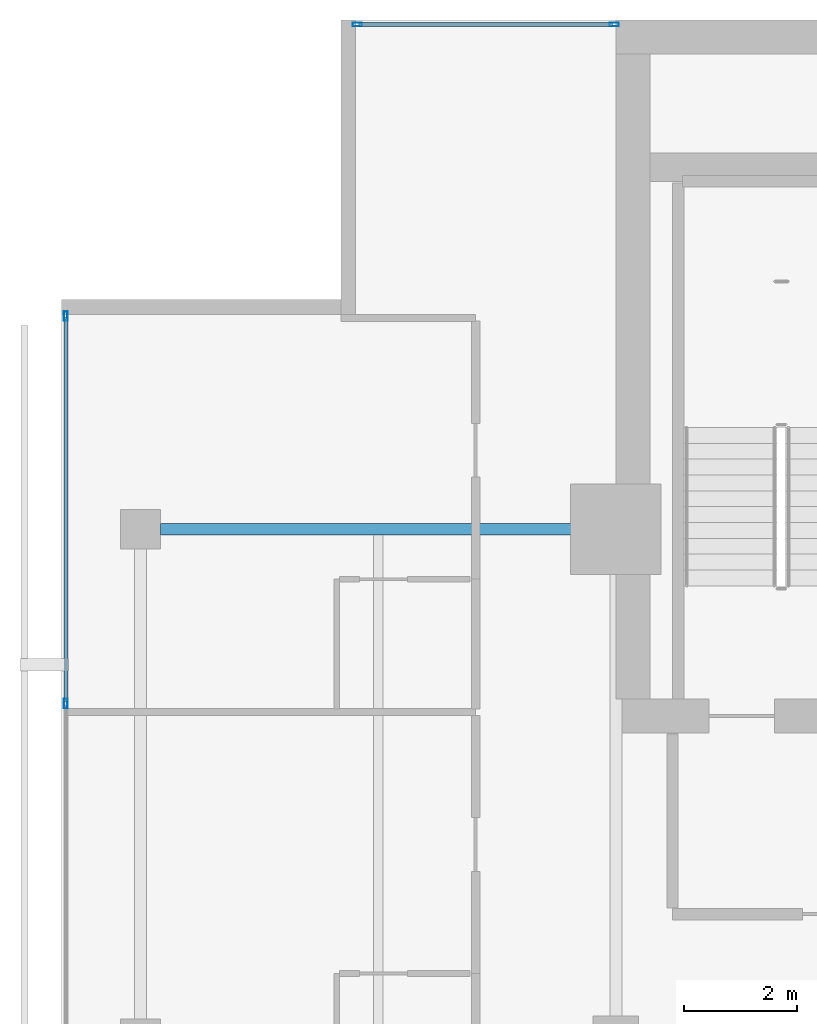
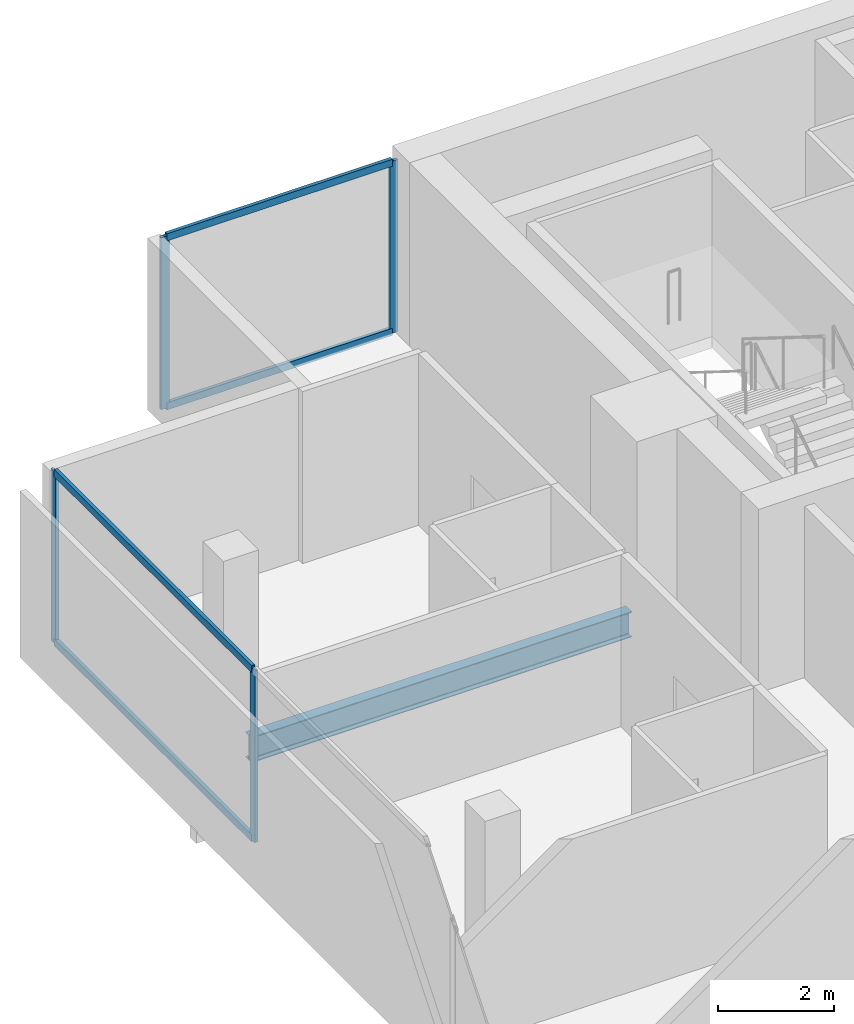
# One storey, part 16 of 26: 8 members, 1 beam, 2 elements without a shape of their own.
"""IFC4 building model written with IfcOpenShell, lengths in metres."""

from ifc_helpers import new_model, si_unit, direction, frame, origin, origin_2d, place, context, subcontext, project, spatial, hollow_rectangle, i_section, extrude, material, layer, layer_set, material_profile, profile_set, type_object, element, aggregate, save


model = new_model("IFC4")

# Units and contexts
model_context = context("Model", 3, precision=1e-05, world=origin(), true_north=direction((0.0, 1.0)))
body_context = subcontext(model_context, "Body", "Model", "MODEL_VIEW")
ifc_project = project(units=[si_unit("LENGTHUNIT", "METRE"), si_unit("AREAUNIT", "SQUARE_METRE"), si_unit("VOLUMEUNIT", "CUBIC_METRE"), si_unit("PLANEANGLEUNIT", "RADIAN"), si_unit("MASSUNIT", "GRAM", prefix="KILO")], contexts=[model_context])

# Site, building, storey
site_placement = place(None, origin())
site = spatial("IfcSite", under=ifc_project, at=site_placement, CompositionType="ELEMENT")
building_placement = place(site_placement, origin())
building = spatial("IfcBuilding", under=site, at=building_placement, Name="Maruvema Waterfront Hotel and Observation Tower", CompositionType="ELEMENT")
storey_placement = place(building_placement, frame((0.0, 0.0, 254.800048828125)))
storey = spatial("IfcBuildingStorey", under=building, at=storey_placement, Name="L62", CompositionType="ELEMENT", Elevation=254.800048828125)

# Curtain wall, members
ifc_material_1 = material(Name="Anodised bronze aluminium and solar-control low-E IGU", Category="aluminium")
ifc_layer = layer(ifc_material_1, 0.159912109375, Name="Zone 3 Champagne Inner Thermal Curtain Wall System CW-04")
ifc_layer_set = layer_set([ifc_layer], Name="Anodised bronze aluminium and solar-control low-E IGU")
curtain_wall_type = type_object("IfcCurtainWallType", Name="Zone 3 Champagne Inner Thermal Curtain Wall System CW-04", PredefinedType="USERDEFINED", material=ifc_layer_set)
curtain_wall_1_placement = place(storey_placement, origin())
curtain_wall_1 = element("IfcCurtainWall", 1, at=curtain_wall_1_placement, inside=storey, type_object=curtain_wall_type, Name="L62 Curtain Wall CW-L62-W", ObjectType="UNITISED CURTAIN WALL", PredefinedType="USERDEFINED")
ifc_material_2 = material(Name="Anodised architectural bronze aluminium", Category="aluminium")
ifc_material_profile_1 = material_profile(ifc_material_2, hollow_rectangle(XDim=0.070068359375, YDim=0.14990234375, WallThickness=0.00390625, at=origin_2d()), Name="ALU-T70x150")
ifc_profile_set_1 = profile_set([ifc_material_profile_1], Name="Anodised architectural bronze aluminium")
member_type_1 = type_object("IfcMemberType", Name="Curtain Wall Horizontal Transom ALU-T70x150", PredefinedType="USERDEFINED", material=ifc_profile_set_1)
member_1_placement = place(storey_placement, frame((15.47998046875, 48.739990234375, 0.030029296875), z_axis=(0.0, -1.0, 0.0), x_axis=(1.0, 0.0, 0.0)))
member_1 = element("IfcMember", 2, at=member_1_placement, type_object=member_type_1, Name="CW-04 transom 1.1", ObjectType="TRANSOM", PredefinedType="USERDEFINED", context=body_context, shape_type="SweptSolid", body=[
    extrude(hollow_rectangle(XDim=0.070068359375, YDim=0.14990234375, WallThickness=0.00390625, at=origin_2d()), origin(), (0.0, 0.0, 1.0), 6.7900390625),
])
member_2_placement = place(storey_placement, frame((15.47998046875, 48.739990234375, 3.579833984375), z_axis=(0.0, -1.0, 0.0), x_axis=(1.0, 0.0, 0.0)))
member_2 = element("IfcMember", 3, at=member_2_placement, type_object=member_type_1, Name="CW-04 transom 1.2", ObjectType="TRANSOM", PredefinedType="USERDEFINED", context=body_context, shape_type="SweptSolid", body=[
    extrude(hollow_rectangle(XDim=0.070068359375, YDim=0.14990234375, WallThickness=0.00390625, at=origin_2d()), origin(), (0.0, 0.0, 1.0), 6.7900390625),
])

curtain_wall_2_placement = place(storey_placement, origin())
curtain_wall_2 = element("IfcCurtainWall", 4, at=curtain_wall_2_placement, inside=storey, type_object=curtain_wall_type, Name="L62 Curtain Wall CW-L62-NW", ObjectType="UNITISED CURTAIN WALL", PredefinedType="USERDEFINED")
member_3_placement = place(storey_placement, frame((25.139892578125, 53.919921875, 0.030029296875), z_axis=(-1.0, 0.0, 0.0), x_axis=(0.0, -1.0, 0.0)))
member_3 = element("IfcMember", 5, at=member_3_placement, type_object=member_type_1, Name="CW-04 transom 1.1", ObjectType="TRANSOM", PredefinedType="USERDEFINED", context=body_context, shape_type="SweptSolid", body=[
    extrude(hollow_rectangle(XDim=0.070068359375, YDim=0.14990234375, WallThickness=0.00390625, at=origin_2d()), origin(), (0.0, 0.0, 1.0), 4.47998046875),
])
member_4_placement = place(storey_placement, frame((25.139892578125, 53.919921875, 3.579833984375), z_axis=(-1.0, 0.0, 0.0), x_axis=(0.0, -1.0, 0.0)))
member_4 = element("IfcMember", 6, at=member_4_placement, type_object=member_type_1, Name="CW-04 transom 1.2", ObjectType="TRANSOM", PredefinedType="USERDEFINED", context=body_context, shape_type="SweptSolid", body=[
    extrude(hollow_rectangle(XDim=0.070068359375, YDim=0.14990234375, WallThickness=0.00390625, at=origin_2d()), origin(), (0.0, 0.0, 1.0), 4.47998046875),
])

# Member
ifc_material_3 = material(Name="Anodised architectural bronze aluminium", Category="aluminium")
ifc_material_profile_2 = material_profile(ifc_material_3, hollow_rectangle(XDim=0.06494140625, YDim=0.1650390625, WallThickness=0.00390625, at=origin_2d()), Name="ALU-M65x165")
ifc_profile_set_2 = profile_set([ifc_material_profile_2], Name="Anodised architectural bronze aluminium")
member_type_2 = type_object("IfcMemberType", Name="Curtain Wall Primary Mullion ALU-M65x165", PredefinedType="MULLION", material=ifc_profile_set_2)
member_5_placement = place(storey_placement, frame((15.47998046875, 48.77001953125, 0.0), z_axis=(0.0, 0.0, 1.0), x_axis=(1.0, 0.0, 0.0)))
member_5 = element("IfcMember", 7, at=member_5_placement, type_object=member_type_2, Name="CW-04 mullion 1", PredefinedType="MULLION", context=body_context, shape_type="SweptSolid", body=[
    extrude(hollow_rectangle(XDim=0.06494140625, YDim=0.1650390625, WallThickness=0.00390625, at=origin_2d()), origin(), (0.0, 0.0, 1.0), 3.60986328125),
])

member_6_placement = place(storey_placement, frame((15.47998046875, 41.919921875, 0.0), z_axis=(0.0, 0.0, 1.0), x_axis=(1.0, 0.0, 0.0)))
member_6 = element("IfcMember", 8, at=member_6_placement, type_object=member_type_2, Name="CW-04 mullion 2", PredefinedType="MULLION", context=body_context, shape_type="SweptSolid", body=[
    extrude(hollow_rectangle(XDim=0.06494140625, YDim=0.1650390625, WallThickness=0.00390625, at=origin_2d()), origin(), (0.0, 0.0, 1.0), 3.60986328125),
])

aggregate(curtain_wall_1, [member_5, member_6, member_1, member_2])

member_7_placement = place(storey_placement, frame((25.169921875, 53.919921875, 0.0), z_axis=(0.0, 0.0, 1.0), x_axis=(0.0, -1.0, 0.0)))
member_7 = element("IfcMember", 9, at=member_7_placement, type_object=member_type_2, Name="CW-04 mullion 1", PredefinedType="MULLION", context=body_context, shape_type="SweptSolid", body=[
    extrude(hollow_rectangle(XDim=0.06494140625, YDim=0.1650390625, WallThickness=0.00390625, at=origin_2d()), origin(), (0.0, 0.0, 1.0), 3.60986328125),
])

member_8_placement = place(storey_placement, frame((20.6298828125, 53.919921875, 0.0), z_axis=(0.0, 0.0, 1.0), x_axis=(0.0, -1.0, 0.0)))
member_8 = element("IfcMember", 10, at=member_8_placement, type_object=member_type_2, Name="CW-04 mullion 2", PredefinedType="MULLION", context=body_context, shape_type="SweptSolid", body=[
    extrude(hollow_rectangle(XDim=0.06494140625, YDim=0.1650390625, WallThickness=0.00390625, at=origin_2d()), origin(), (0.0, 0.0, 1.0), 3.60986328125),
])

aggregate(curtain_wall_2, [member_7, member_8, member_3, member_4])

# Beam
ifc_material_4 = material(Name="Steel ASTM A572 Grade 50", Category="steel")
ifc_material_profile_3 = material_profile(ifc_material_4, i_section(OverallWidth=0.208984375, OverallDepth=0.532958984375, WebThickness=0.01025390625, FlangeThickness=0.015625, FilletRadius=0.014892578125, at=origin_2d()), Name="W530x92.0")
ifc_profile_set_3 = profile_set([ifc_material_profile_3], Name="Steel ASTM A572 Grade 50")
beam_type = type_object("IfcBeamType", Name="Primary Floor Girder W530x92.0", PredefinedType="BEAM", material=ifc_profile_set_3)
beam_placement = place(storey_placement, frame((17.14990234375, 45.0, -0.506591796875), z_axis=(1.0, 0.0, 0.0), x_axis=(0.0, 1.0, 0.0)))
element("IfcBeam", 11, at=beam_placement, inside=storey, type_object=beam_type, Name="L62 Floor Girder EW-17", PredefinedType="BEAM", context=body_context, shape_type="SweptSolid", body=[
    extrude(i_section(OverallWidth=0.208984375, OverallDepth=0.532958984375, WebThickness=0.01025390625, FlangeThickness=0.015625, FilletRadius=0.014892578125, at=origin_2d()), origin(), (0.0, 0.0, 1.0), 7.550048828125),
])

save(model, "model.ifc")
